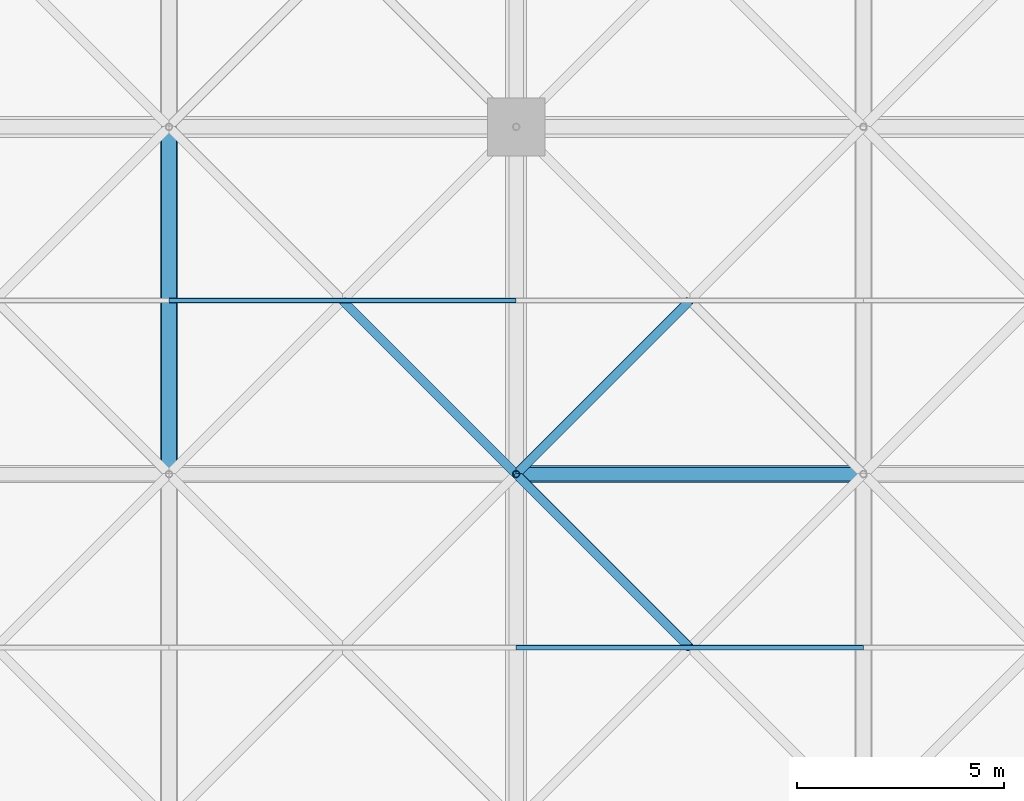
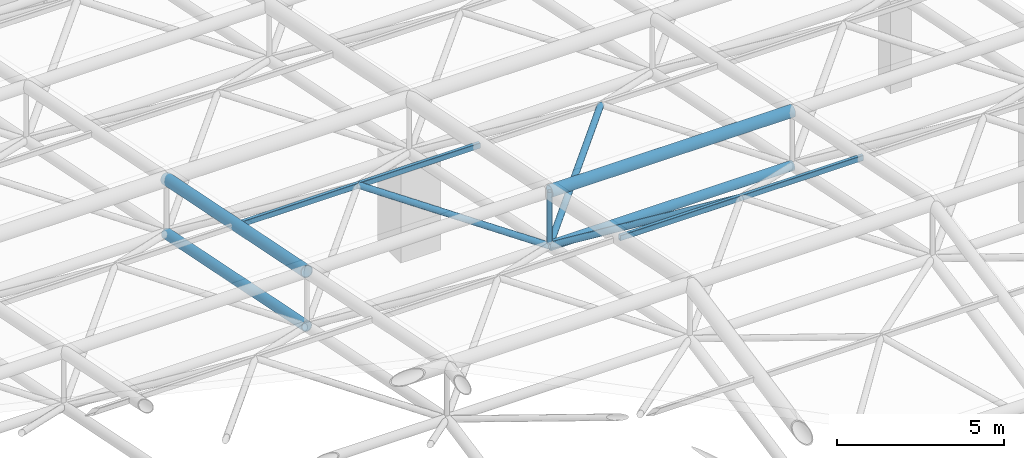
# One storey, part 44 of 81: 10 members.
"""IFC4 building model written with IfcOpenShell, lengths in metres."""

from ifc_helpers import new_model, si_unit, direction, frame, origin, origin_2d, place, context, subcontext, project, spatial, hollow_rectangle, hollow_circle, extrude, material, material_profile, profile_set, type_object, element, save


model = new_model("IFC4")

# Units and contexts
model_context = context("Model", 3, precision=1e-05, world=origin(), true_north=direction((0.0, 1.0)))
body_context = subcontext(model_context, "Body", "Model", "MODEL_VIEW")
ifc_project = project(units=[si_unit("LENGTHUNIT", "METRE"), si_unit("AREAUNIT", "SQUARE_METRE"), si_unit("VOLUMEUNIT", "CUBIC_METRE"), si_unit("PLANEANGLEUNIT", "RADIAN"), si_unit("MASSUNIT", "GRAM", prefix="KILO")], contexts=[model_context])

# Site, building, storey
site_placement = place(None, origin())
site = spatial("IfcSite", under=ifc_project, at=site_placement, CompositionType="ELEMENT")
building_placement = place(site_placement, origin())
building = spatial("IfcBuilding", under=site, at=building_placement, Name="Qawsi Khor Wholesale Market", CompositionType="ELEMENT")
storey_placement = place(building_placement, frame((0.0, 0.0, 16.199951171875)))
storey = spatial("IfcBuildingStorey", under=building, at=storey_placement, Name="L03", CompositionType="ELEMENT", Elevation=16.199951171875)

# Members
ifc_material = material(Name="Steel S355", Category="steel")
ifc_material_profile_1 = material_profile(ifc_material, hollow_circle(Radius=0.177734375, WallThickness=0.01611328125, at=origin_2d()), Name="CHS 355.6x16.0")
ifc_profile_set_1 = profile_set([ifc_material_profile_1], Name="Steel S355")
member_type_1 = type_object("IfcMemberType", Name="Space-Frame Bottom Chord CHS 355.6x16.0", PredefinedType="CHORD", material=ifc_profile_set_1)
member_1_placement = place(storey_placement, frame((50.39990234375, 84.0, 5.070068359375), z_axis=(0.0, 0.980129990483, -0.1983562496), x_axis=(-1.0, 0.0, 0.0)))
element("IfcMember", 1, at=member_1_placement, inside=storey, type_object=member_type_1, Name="Space frame bottom chord Y WH (6,10)", PredefinedType="CHORD", context=body_context, shape_type="SweptSolid", body=[
    extrude(hollow_circle(Radius=0.177734375, WallThickness=0.01611328125, at=origin_2d()), origin(), (0.0, 0.0, 1.0), 8.5703125),
])
ifc_material_profile_2 = material_profile(ifc_material, hollow_rectangle(XDim=0.1201171875, YDim=0.199951171875, WallThickness=0.008056640625, InnerFilletRadius=0.008056640625, OuterFilletRadius=0.01611328125, at=origin_2d()), Name="RHS 200x120x8.0")
ifc_profile_set_2 = profile_set([ifc_material_profile_2], Name="Steel S355")
member_type_2 = type_object("IfcMemberType", Name="Space-Frame Heavy Purlin RHS 200x120x8.0", PredefinedType="PURLIN", material=ifc_profile_set_2)
member_2_placement = place(storey_placement, frame((50.39990234375, 88.199951171875, 6.219970703125), z_axis=(1.0, 0.0, 0.0), x_axis=(0.0, 1.0, 0.0)))
element("IfcMember", 2, at=member_2_placement, inside=storey, type_object=member_type_2, Name="Space frame purlin WH (6,10)", PredefinedType="PURLIN", context=body_context, shape_type="SweptSolid", body=[
    extrude(hollow_rectangle(XDim=0.1201171875, YDim=0.199951171875, WallThickness=0.008056640625, InnerFilletRadius=0.008056640625, OuterFilletRadius=0.01611328125, at=origin_2d()), origin(), (0.0, 0.0, 1.0), 8.400146484375),
])
member_3_placement = place(storey_placement, frame((58.800048828125, 79.800048828125, 7.920166015625), z_axis=(1.0, 0.0, 0.0), x_axis=(0.0, 1.0, 0.0)))
element("IfcMember", 3, at=member_3_placement, inside=storey, type_object=member_type_2, Name="Space frame purlin WH (7,9)", PredefinedType="PURLIN", context=body_context, shape_type="SweptSolid", body=[
    extrude(hollow_rectangle(XDim=0.1201171875, YDim=0.199951171875, WallThickness=0.008056640625, InnerFilletRadius=0.008056640625, OuterFilletRadius=0.01611328125, at=origin_2d()), origin(), (0.0, 0.0, 1.0), 8.39990234375),
])
ifc_material_profile_3 = material_profile(ifc_material, hollow_circle(Radius=0.109619140625, WallThickness=0.010009765625, at=origin_2d()), Name="CHS 219.1x10.0")
ifc_profile_set_3 = profile_set([ifc_material_profile_3], Name="Steel S355")
member_type_3 = type_object("IfcMemberType", Name="Space-Frame Inner Diagonal CHS 219.1x10.0", PredefinedType="RAFTER", material=ifc_profile_set_3)
member_4_placement = place(storey_placement, frame((58.800048828125, 84.0, 5.070068359375), z_axis=(-0.694216714393, 0.694216714393, 0.190069216113), x_axis=(-0.707106781187, -0.707106781187, 0.0)))
element("IfcMember", 4, at=member_4_placement, inside=storey, type_object=member_type_3, Name="Space frame diagonal WH (6,10)-2", PredefinedType="RAFTER", context=body_context, shape_type="SweptSolid", body=[
    extrude(hollow_circle(Radius=0.109619140625, WallThickness=0.010009765625, at=origin_2d()), origin(), (0.0, 0.0, 1.0), 6.0498046875),
])
member_5_placement = place(storey_placement, frame((58.800048828125, 84.0, 5.070068359375), z_axis=(0.637511741089, -0.637511741089, 0.432617105474), x_axis=(0.707106781187, 0.707106781187, 0.0)))
element("IfcMember", 5, at=member_5_placement, inside=storey, type_object=member_type_3, Name="Space frame diagonal WH (7,9)-4", PredefinedType="RAFTER", context=body_context, shape_type="SweptSolid", body=[
    extrude(hollow_circle(Radius=0.109619140625, WallThickness=0.010009765625, at=origin_2d()), origin(), (0.0, 0.0, 1.0), 6.588134765625),
])
member_6_placement = place(storey_placement, frame((58.800048828125, 84.0, 5.070068359375), z_axis=(0.694216714393, 0.694216714393, 0.190069216113), x_axis=(-0.707106781187, 0.707106781187, 0.0)))
element("IfcMember", 6, at=member_6_placement, inside=storey, type_object=member_type_3, Name="Space frame diagonal WH (7,10)-1", PredefinedType="RAFTER", context=body_context, shape_type="SweptSolid", body=[
    extrude(hollow_circle(Radius=0.109619140625, WallThickness=0.010009765625, at=origin_2d()), origin(), (0.0, 0.0, 1.0), 6.0498046875),
])
ifc_material_profile_4 = material_profile(ifc_material, hollow_circle(Radius=0.161865234375, WallThickness=0.01611328125, at=origin_2d()), Name="CHS 323.9x16.0")
ifc_profile_set_4 = profile_set([ifc_material_profile_4], Name="Steel S355")
member_type_4 = type_object("IfcMemberType", Name="Space-Frame Secondary Chord CHS 323.9x16.0", PredefinedType="CHORD", material=ifc_profile_set_4)
member_7_placement = place(storey_placement, frame((58.800048828125, 84.0, 5.070068359375), z_axis=(1.0, 0.0, 0.0), x_axis=(0.0, 1.0, 0.0)))
element("IfcMember", 7, at=member_7_placement, inside=storey, type_object=member_type_4, Name="Space frame bottom chord X WH (7,10)", PredefinedType="CHORD", context=body_context, shape_type="SweptSolid", body=[
    extrude(hollow_circle(Radius=0.161865234375, WallThickness=0.01611328125, at=origin_2d()), origin(), (0.0, 0.0, 1.0), 8.39990234375),
])
ifc_material_profile_5 = material_profile(ifc_material, hollow_circle(Radius=0.203125, WallThickness=0.02001953125, at=origin_2d()), Name="CHS 406.4x20.0")
ifc_profile_set_5 = profile_set([ifc_material_profile_5], Name="Steel S355")
member_type_5 = type_object("IfcMemberType", Name="Space-Frame Top Chord CHS 406.4x20.0", PredefinedType="CHORD", material=ifc_profile_set_5)
member_8_placement = place(storey_placement, frame((50.39990234375, 84.0, 7.070068359375), z_axis=(0.0, 0.980129990483, -0.1983562496), x_axis=(-1.0, 0.0, 0.0)))
element("IfcMember", 8, at=member_8_placement, inside=storey, type_object=member_type_5, Name="Space frame top chord Y WH (6,10)", PredefinedType="CHORD", context=body_context, shape_type="SweptSolid", body=[
    extrude(hollow_circle(Radius=0.203125, WallThickness=0.02001953125, at=origin_2d()), origin(), (0.0, 0.0, 1.0), 8.5703125),
])
member_9_placement = place(storey_placement, frame((58.800048828125, 84.0, 7.070068359375), z_axis=(1.0, 0.0, 0.0), x_axis=(0.0, 1.0, 0.0)))
element("IfcMember", 9, at=member_9_placement, inside=storey, type_object=member_type_5, Name="Space frame top chord X WH (7,10)", PredefinedType="CHORD", context=body_context, shape_type="SweptSolid", body=[
    extrude(hollow_circle(Radius=0.203125, WallThickness=0.02001953125, at=origin_2d()), origin(), (0.0, 0.0, 1.0), 8.39990234375),
])
ifc_material_profile_6 = material_profile(ifc_material, hollow_circle(Radius=0.084228515625, WallThickness=0.008056640625, at=origin_2d()), Name="CHS 168.3x8.0")
ifc_profile_set_6 = profile_set([ifc_material_profile_6], Name="Steel S355")
member_type_6 = type_object("IfcMemberType", Name="Space-Frame Vertical Strut CHS 168.3x8.0", PredefinedType="STRUT", material=ifc_profile_set_6)
member_10_placement = place(storey_placement, frame((58.800048828125, 84.0, 5.070068359375), z_axis=(0.0, 0.0, 1.0), x_axis=(1.0, 0.0, 0.0)))
element("IfcMember", 10, at=member_10_placement, inside=storey, type_object=member_type_6, Name="Space frame post WH (7,10)", PredefinedType="STRUT", context=body_context, shape_type="SweptSolid", body=[
    extrude(hollow_circle(Radius=0.084228515625, WallThickness=0.008056640625, at=origin_2d()), origin(), (0.0, 0.0, 1.0), 2.0),
])

save(model, "model.ifc")
